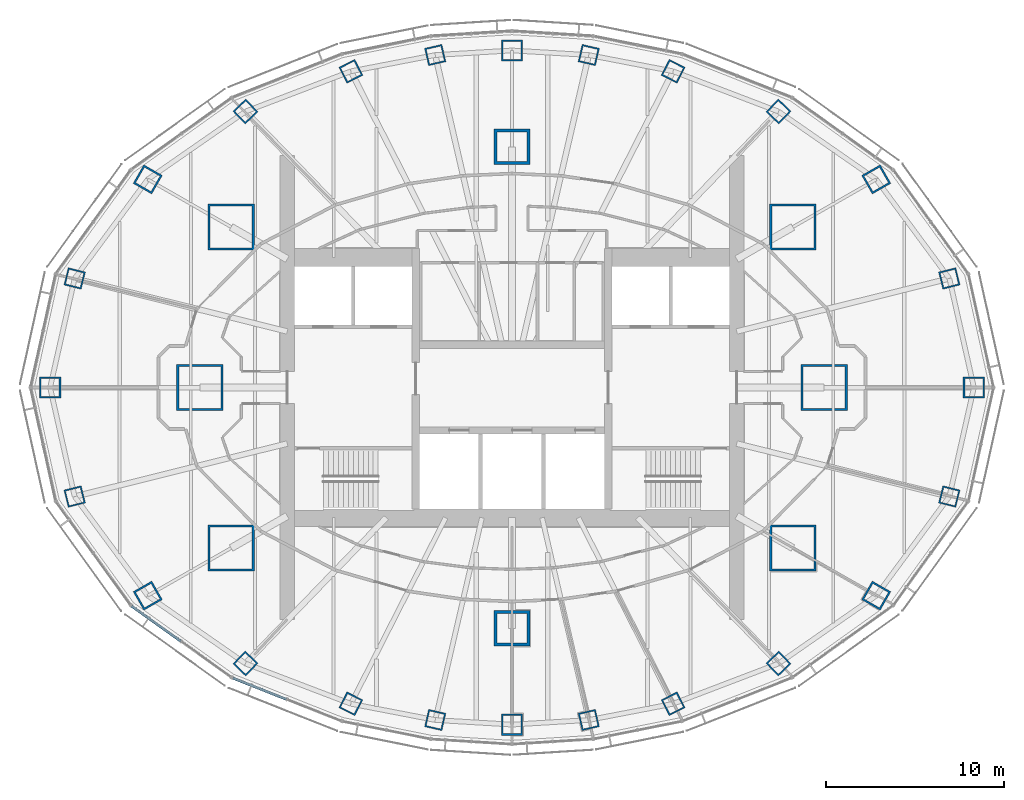
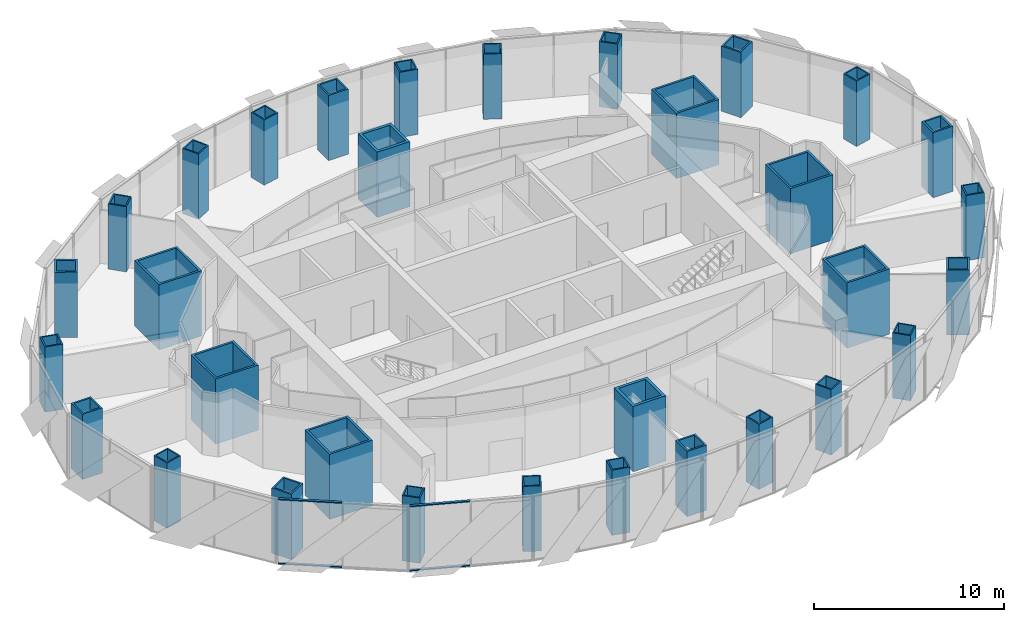
# One storey, part 1 of 17: 32 columns, 4 members, 2 elements without a shape of their own.
"""IFC4 building model written with IfcOpenShell, lengths in metres."""

from ifc_helpers import new_model, si_unit, direction, frame, origin, origin_2d, place, context, subcontext, project, spatial, rectangle, hollow_rectangle, extrude, material, material_profile, profile_set, type_object, element, aggregate, save


model = new_model("IFC4")

# Units and contexts
model_context = context("Model", 3, precision=1e-05, world=origin(), true_north=direction((0.0, 1.0)))
body_context = subcontext(model_context, "Body", "Model", "MODEL_VIEW")
ifc_project = project(units=[si_unit("LENGTHUNIT", "METRE"), si_unit("AREAUNIT", "SQUARE_METRE"), si_unit("VOLUMEUNIT", "CUBIC_METRE"), si_unit("PLANEANGLEUNIT", "RADIAN"), si_unit("MASSUNIT", "GRAM", prefix="KILO")], contexts=[model_context])

# Site, building, storey
site_placement = place(None, origin())
site = spatial("IfcSite", under=ifc_project, at=site_placement, CompositionType="ELEMENT")
building_placement = place(site_placement, origin())
building = spatial("IfcBuilding", under=site, at=building_placement, Name="Lantaw Convention Tower", CompositionType="ELEMENT")
storey_placement = place(building_placement, frame((0.0, 0.0, 224.199951171875)))
storey = spatial("IfcBuildingStorey", under=building, at=storey_placement, Name="L52", CompositionType="ELEMENT", Elevation=224.199951171875)

# Columns
ifc_material_1 = material(Name="Steel EN 10025-3 S460N", Category="steel")
ifc_material_profile_1 = material_profile(ifc_material_1, hollow_rectangle(XDim=2.0, YDim=2.0, WallThickness=0.169921875, at=origin_2d()), Name="BOX2000X170")
ifc_material_2 = material(Name="Concrete C60/75", Category="concrete")
ifc_material_profile_2 = material_profile(ifc_material_2, rectangle(XDim=1.659912109375, YDim=1.659912109375, at=origin_2d()), Name="Concrete fill of BOX2000X170")
ifc_profile_set_1 = profile_set([ifc_material_profile_1, ifc_material_profile_2], Name="Steel EN 10025-3 S460N")
column_type_1 = type_object("IfcColumnType", Name="Column MC BOX2000X170", PredefinedType="COLUMN", material=ifc_profile_set_1)
for number, where, z_axis, x_axis, name in (
    (1, (0.0, 13.5, 0.0), (0.0, 0.0, 1.0), (1.0, 0.0, 0.0), "Mega column M3"),
    (2, (0.0, -13.5, 0.0), (0.0, 0.0, 1.0), (1.0, 0.0, 0.0), "Mega column M7"),
):
    element("IfcColumn", number, at=place(storey_placement, frame(where, z_axis=z_axis, x_axis=x_axis)), inside=storey, type_object=column_type_1, Name=name, PredefinedType="COLUMN", context=body_context, shape_type="SweptSolid", body=[
        extrude(hollow_rectangle(XDim=2.0, YDim=2.0, WallThickness=0.169921875, at=origin_2d()), origin(), (0.0, 0.0, 1.0), 4.199951171875),
    ])
ifc_material_profile_3 = material_profile(ifc_material_1, hollow_rectangle(XDim=2.60009765625, YDim=2.60009765625, WallThickness=0.1298828125, at=origin_2d()), Name="BOX2600X130")
ifc_material_profile_4 = material_profile(ifc_material_2, rectangle(XDim=2.340087890625, YDim=2.340087890625, at=origin_2d()), Name="Concrete fill of BOX2600X130")
ifc_profile_set_2 = profile_set([ifc_material_profile_3, ifc_material_profile_4], Name="Steel EN 10025-3 S460N")
column_type_2 = type_object("IfcColumnType", Name="Column MC BOX2600X130", PredefinedType="COLUMN", material=ifc_profile_set_2)
for number, where, z_axis, x_axis, name in (
    (3, (17.5, 0.0, 0.0), (0.0, 0.0, 1.0), (1.0, 0.0, 0.0), "Mega column M1"),
    (4, (15.75, 9.0, 0.0), (0.0, 0.0, 1.0), (1.0, 0.0, 0.0), "Mega column M2"),
    (5, (-15.75, 9.0, 0.0), (0.0, 0.0, 1.0), (1.0, 0.0, 0.0), "Mega column M4"),
    (6, (-17.5, 0.0, 0.0), (0.0, 0.0, 1.0), (1.0, 0.0, 0.0), "Mega column M5"),
    (7, (-15.75, -9.0, 0.0), (0.0, 0.0, 1.0), (1.0, 0.0, 0.0), "Mega column M6"),
    (8, (15.75, -9.0, 0.0), (0.0, 0.0, 1.0), (1.0, 0.0, 0.0), "Mega column M8"),
):
    element("IfcColumn", number, at=place(storey_placement, frame(where, z_axis=z_axis, x_axis=x_axis)), inside=storey, type_object=column_type_2, Name=name, PredefinedType="COLUMN", context=body_context, shape_type="SweptSolid", body=[
        extrude(hollow_rectangle(XDim=2.60009765625, YDim=2.60009765625, WallThickness=0.1298828125, at=origin_2d()), origin(), (0.0, 0.0, 1.0), 4.199951171875),
    ])
ifc_material_3 = material(Name="Steel ASTM A572 Grade 50", Category="steel")
ifc_material_profile_5 = material_profile(ifc_material_3, hollow_rectangle(XDim=1.0, YDim=1.0, WallThickness=0.080078125, at=origin_2d()), Name="BOX1000X80")
ifc_material_profile_6 = material_profile(ifc_material_2, rectangle(XDim=0.840087890625, YDim=0.840087890625, at=origin_2d()), Name="Concrete fill of BOX1000X80")
ifc_profile_set_3 = profile_set([ifc_material_profile_5, ifc_material_profile_6], Name="Steel ASTM A572 Grade 50")
column_type_3 = type_object("IfcColumnType", Name="Column PC BOX1000X80", PredefinedType="COLUMN", material=ifc_profile_set_3)
for number, where, z_axis, x_axis, name in (
    (9, (24.52197265625, 6.114013671875, 0.0), (0.0, 0.0, 1.0), (0.970295726276, 0.2419218956, 0.0), "Perimeter column P2"),
    (10, (14.9443359375, 15.475341796875, 0.0), (0.0, 0.0, 1.0), (0.694658370459, 0.719339800339, 0.0), "Perimeter column P4"),
    (11, (9.03466796875, 17.7314453125, 0.0), (0.0, 0.0, 1.0), (0.45399049974, 0.891006524188, 0.0), "Perimeter column P5"),
    (12, (4.303955078125, 18.64208984375, 0.0), (0.0, 0.0, 1.0), (0.224951054344, 0.974370064785, 0.0), "Perimeter column P6"),
    (13, (-4.303955078125, 18.64208984375, 0.0), (0.0, 0.0, 1.0), (0.974370064785, 0.224951054344, 0.0), "Perimeter column P8"),
    (14, (-9.03466796875, 17.7314453125, 0.0), (0.0, 0.0, 1.0), (0.891006524188, 0.45399049974, 0.0), "Perimeter column P9"),
    (15, (-14.9443359375, 15.475341796875, 0.0), (0.0, 0.0, 1.0), (0.719339800339, 0.694658370459, 0.0), "Perimeter column P10"),
    (16, (-24.52197265625, 6.114013671875, 0.0), (0.0, 0.0, 1.0), (0.2419218956, 0.970295726276, 0.0), "Perimeter column P12"),
    (17, (-24.52197265625, -6.114013671875, 0.0), (0.0, 0.0, 1.0), (0.970295726276, 0.2419218956, 0.0), "Perimeter column P14"),
    (18, (-14.9443359375, -15.475341796875, 0.0), (0.0, 0.0, 1.0), (0.694658370459, 0.719339800339, 0.0), "Perimeter column P16"),
    (19, (-9.03466796875, -17.7314453125, 0.0), (0.0, 0.0, 1.0), (0.45399049974, 0.891006524188, 0.0), "Perimeter column P17"),
    (20, (-4.303955078125, -18.64208984375, 0.0), (0.0, 0.0, 1.0), (0.224951054344, 0.974370064785, 0.0), "Perimeter column P18"),
    (21, (4.303955078125, -18.64208984375, 0.0), (0.0, 0.0, 1.0), (0.974370064785, 0.224951054344, 0.0), "Perimeter column P20"),
    (22, (9.03466796875, -17.7314453125, 0.0), (0.0, 0.0, 1.0), (0.891006524188, 0.45399049974, 0.0), "Perimeter column P21"),
    (23, (14.9443359375, -15.475341796875, 0.0), (0.0, 0.0, 1.0), (0.719339800339, 0.694658370459, 0.0), "Perimeter column P22"),
    (24, (24.52197265625, -6.114013671875, 0.0), (0.0, 0.0, 1.0), (0.2419218956, 0.970295726276, 0.0), "Perimeter column P24"),
):
    element("IfcColumn", number, at=place(storey_placement, frame(where, z_axis=z_axis, x_axis=x_axis)), inside=storey, type_object=column_type_3, Name=name, PredefinedType="COLUMN", context=body_context, shape_type="SweptSolid", body=[
        extrude(hollow_rectangle(XDim=1.0, YDim=1.0, WallThickness=0.080078125, at=origin_2d()), origin(), (0.0, 0.0, 1.0), 4.199951171875),
    ])
ifc_material_profile_7 = material_profile(ifc_material_1, hollow_rectangle(XDim=1.199951171875, YDim=1.199951171875, WallThickness=0.10009765625, at=origin_2d()), Name="BOX1200X100")
ifc_material_profile_8 = material_profile(ifc_material_2, rectangle(XDim=1.0, YDim=1.0, at=origin_2d()), Name="Concrete fill of BOX1200X100")
ifc_profile_set_4 = profile_set([ifc_material_profile_7, ifc_material_profile_8], Name="Steel EN 10025-3 S460N")
column_type_4 = type_object("IfcColumnType", Name="Column PC BOX1200X100", PredefinedType="COLUMN", material=ifc_profile_set_4)
for number, where, z_axis, x_axis, name in (
    (25, (25.89990234375, 0.0, 0.0), (0.0, 0.0, 1.0), (1.0, 0.0, 0.0), "Perimeter column P1"),
    (26, (20.423095703125, 11.67041015625, 0.0), (0.0, 0.0, 1.0), (0.86824298017, 0.496139221777, 0.0), "Perimeter column P3"),
    (27, (0.0, 18.89990234375, 0.0), (0.0, 0.0, 1.0), (1.0, 0.0, 0.0), "Perimeter column P7"),
    (28, (-20.423095703125, 11.67041015625, 0.0), (0.0, 0.0, 1.0), (0.496139221777, 0.86824298017, 0.0), "Perimeter column P11"),
    (29, (-25.89990234375, 0.0, 0.0), (0.0, 0.0, 1.0), (1.0, 0.0, 0.0), "Perimeter column P13"),
    (30, (-20.423095703125, -11.67041015625, 0.0), (0.0, 0.0, 1.0), (0.86824298017, 0.496139221777, 0.0), "Perimeter column P15"),
    (31, (0.0, -18.89990234375, 0.0), (0.0, 0.0, 1.0), (1.0, 0.0, 0.0), "Perimeter column P19"),
    (32, (20.423095703125, -11.67041015625, 0.0), (0.0, 0.0, 1.0), (0.496139221777, 0.86824298017, 0.0), "Perimeter column P23"),
):
    element("IfcColumn", number, at=place(storey_placement, frame(where, z_axis=z_axis, x_axis=x_axis)), inside=storey, type_object=column_type_4, Name=name, PredefinedType="COLUMN", context=body_context, shape_type="SweptSolid", body=[
        extrude(hollow_rectangle(XDim=1.199951171875, YDim=1.199951171875, WallThickness=0.10009765625, at=origin_2d()), origin(), (0.0, 0.0, 1.0), 4.199951171875),
    ])

# Curtain wall, members
ifc_material_4 = material(Name="Aluminium framed curtain wall", Category="aluminium")
curtain_wall_type = type_object("IfcCurtainWallType", Name="Office curtain wall high rise, pale aluminium", PredefinedType="USERDEFINED", material=ifc_material_4)
curtain_wall_1_placement = place(storey_placement, origin())
curtain_wall_1 = element("IfcCurtainWall", 33, at=curtain_wall_1_placement, inside=storey, type_object=curtain_wall_type, Name="Office curtain wall high rise, pale aluminium L52", ObjectType="UNITISED CURTAIN WALL", PredefinedType="USERDEFINED")
ifc_material_5 = material(Name="Aluminium 6063-T6", Category="aluminium")
ifc_material_profile_9 = material_profile(ifc_material_5, rectangle(XDim=0.14990234375, YDim=0.06494140625, at=origin_2d()), Name="CW-O2 transom 65x150")
ifc_profile_set_5 = profile_set([ifc_material_profile_9], Name="Aluminium 6063-T6")
member_type = type_object("IfcMemberType", Name="CW-O2 transom 65x150", PredefinedType="USERDEFINED", material=ifc_profile_set_5)
member_1_placement = place(storey_placement, frame((-21.3251953125, -12.25390625, -0.117431640625), z_axis=(0.813679882592, -0.581313210468, 0.0), x_axis=(0.581313210468, 0.813679882592, 0.0)))
member_1 = element("IfcMember", 34, at=member_1_placement, type_object=member_type, Name="CW-O2 transom 1.1", ObjectType="TRANSOM", PredefinedType="USERDEFINED", context=body_context, shape_type="SweptSolid", body=[
    extrude(rectangle(XDim=0.14990234375, YDim=0.06494140625, at=origin_2d()), origin(), (0.0, 0.0, 1.0), 3.38623046875),
])
member_2_placement = place(storey_placement, frame((-21.3251953125, -12.25390625, 4.017578125), z_axis=(0.813679882592, -0.581313210468, 0.0), x_axis=(0.581313210468, 0.813679882592, 0.0)))
member_2 = element("IfcMember", 35, at=member_2_placement, type_object=member_type, Name="CW-O2 transom 1.2", ObjectType="TRANSOM", PredefinedType="USERDEFINED", context=body_context, shape_type="SweptSolid", body=[
    extrude(rectangle(XDim=0.14990234375, YDim=0.06494140625, at=origin_2d()), origin(), (0.0, 0.0, 1.0), 3.38623046875),
])
aggregate(curtain_wall_1, [member_1, member_2])

curtain_wall_2_placement = place(storey_placement, origin())
curtain_wall_2 = element("IfcCurtainWall", 36, at=curtain_wall_2_placement, inside=storey, type_object=curtain_wall_type, Name="Office curtain wall high rise, pale aluminium L52", ObjectType="UNITISED CURTAIN WALL", PredefinedType="USERDEFINED")
member_3_placement = place(storey_placement, frame((-15.648193359375, -16.29052734375, -0.117431640625), z_axis=(0.929740712354, -0.368214893495, 0.0), x_axis=(0.368214893495, 0.929740712354, 0.0)))
member_3 = element("IfcMember", 37, at=member_3_placement, type_object=member_type, Name="CW-O2 transom 1.1", ObjectType="TRANSOM", PredefinedType="USERDEFINED", context=body_context, shape_type="SweptSolid", body=[
    extrude(rectangle(XDim=0.14990234375, YDim=0.06494140625, at=origin_2d()), origin(), (0.0, 0.0, 1.0), 3.22314453125),
])
member_4_placement = place(storey_placement, frame((-15.648193359375, -16.29052734375, 4.017578125), z_axis=(0.929740712354, -0.368214893495, 0.0), x_axis=(0.368214893495, 0.929740712354, 0.0)))
member_4 = element("IfcMember", 38, at=member_4_placement, type_object=member_type, Name="CW-O2 transom 1.2", ObjectType="TRANSOM", PredefinedType="USERDEFINED", context=body_context, shape_type="SweptSolid", body=[
    extrude(rectangle(XDim=0.14990234375, YDim=0.06494140625, at=origin_2d()), origin(), (0.0, 0.0, 1.0), 3.22314453125),
])
aggregate(curtain_wall_2, [member_3, member_4])

save(model, "model.ifc")
